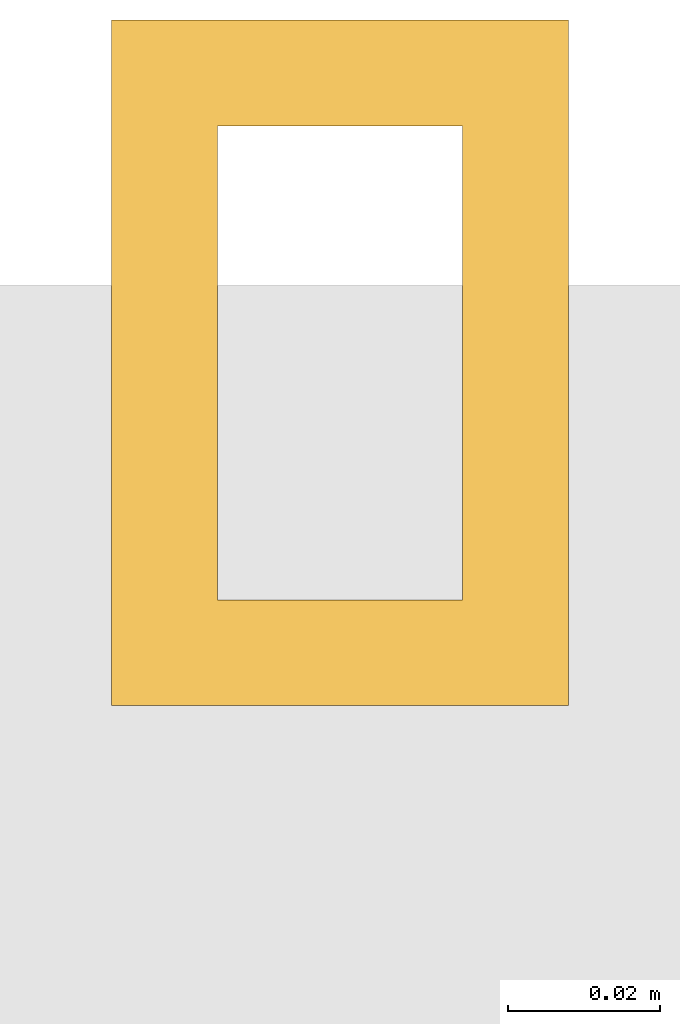
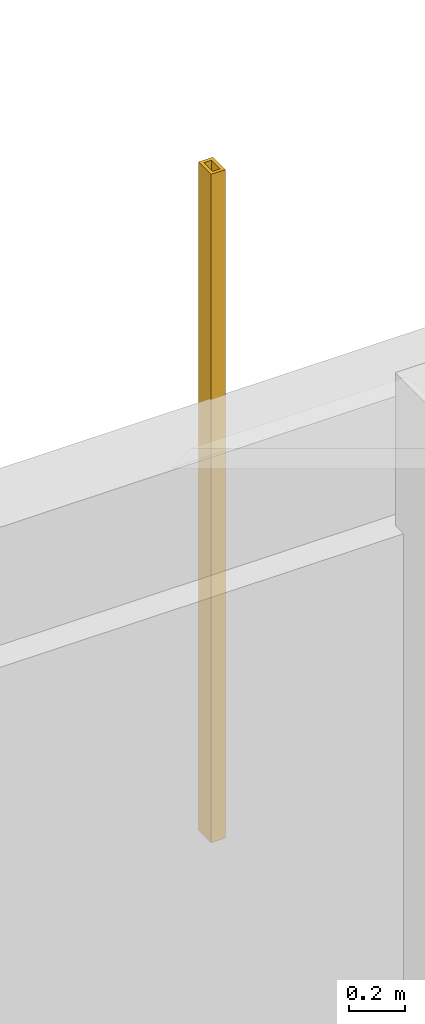
# One storey, part 32 of 32: 1 shading device.
"""IFC4 building model written with IfcOpenShell, lengths in metres."""

from ifc_helpers import new_model, si_unit, direction, frame, origin, origin_2d, place, context, subcontext, project, spatial, hollow_rectangle, extrude, material, material_profile, profile_set, type_object, element, save


model = new_model("IFC4")

# Units and contexts
model_context = context("Model", 3, precision=1e-05, world=origin(), true_north=direction((0.0, 1.0)))
body_context = subcontext(model_context, "Body", "Model", "MODEL_VIEW")
ifc_project = project(units=[si_unit("LENGTHUNIT", "METRE"), si_unit("AREAUNIT", "SQUARE_METRE"), si_unit("VOLUMEUNIT", "CUBIC_METRE"), si_unit("PLANEANGLEUNIT", "RADIAN"), si_unit("MASSUNIT", "GRAM", prefix="KILO")], contexts=[model_context])

# Site, building, storey
site_placement = place(None, origin())
site = spatial("IfcSite", under=ifc_project, at=site_placement, CompositionType="ELEMENT")
building_placement = place(site_placement, origin())
building = spatial("IfcBuilding", under=site, at=building_placement, Name="Punatoya Terracotta Tower", CompositionType="ELEMENT")
storey_placement = place(building_placement, frame((0.0, 0.0, 139.800048828125)))
storey = spatial("IfcBuildingStorey", under=building, at=storey_placement, Name="L32", CompositionType="ELEMENT", Elevation=139.800048828125)

# Shading device
ifc_material = material(Name="Architectural Fired Terracotta", Category="masonry")
ifc_material_profile = material_profile(ifc_material, hollow_rectangle(XDim=0.06005859375, YDim=0.090087890625, WallThickness=0.013916015625, at=origin_2d()))
ifc_profile_set = profile_set([ifc_material_profile], Name="Architectural Fired Terracotta")
shading_device_type = type_object("IfcShadingDeviceType", Name="SHD-JALI-90", PredefinedType="JALOUSIE", material=ifc_profile_set)
shading_device_placement = place(storey_placement, frame((10.093505859375, 23.449951171875, 0.599853515625), z_axis=(0.0, 0.0, 1.0), x_axis=(1.0, 0.0, 0.0)))
element("IfcShadingDevice", 1, at=shading_device_placement, inside=storey, type_object=shading_device_type, Name="L32 Braced Bay Terracotta Jali Fin N1", PredefinedType="JALOUSIE", context=body_context, shape_type="SweptSolid", body=[
    extrude(hollow_rectangle(XDim=0.06005859375, YDim=0.090087890625, WallThickness=0.013916015625, at=origin_2d()), origin(), (0.0, 0.0, 1.0), 2.93017578125),
])

save(model, "model.ifc")
